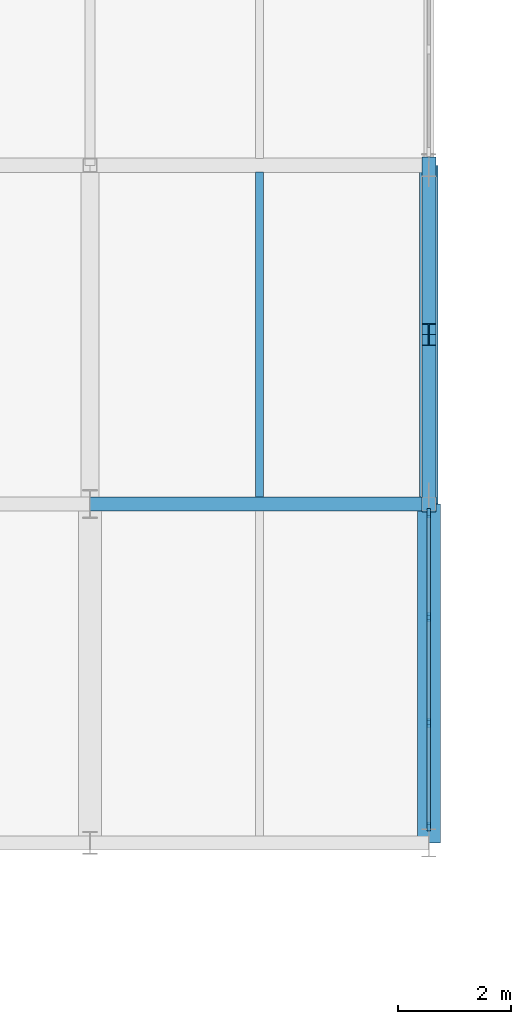
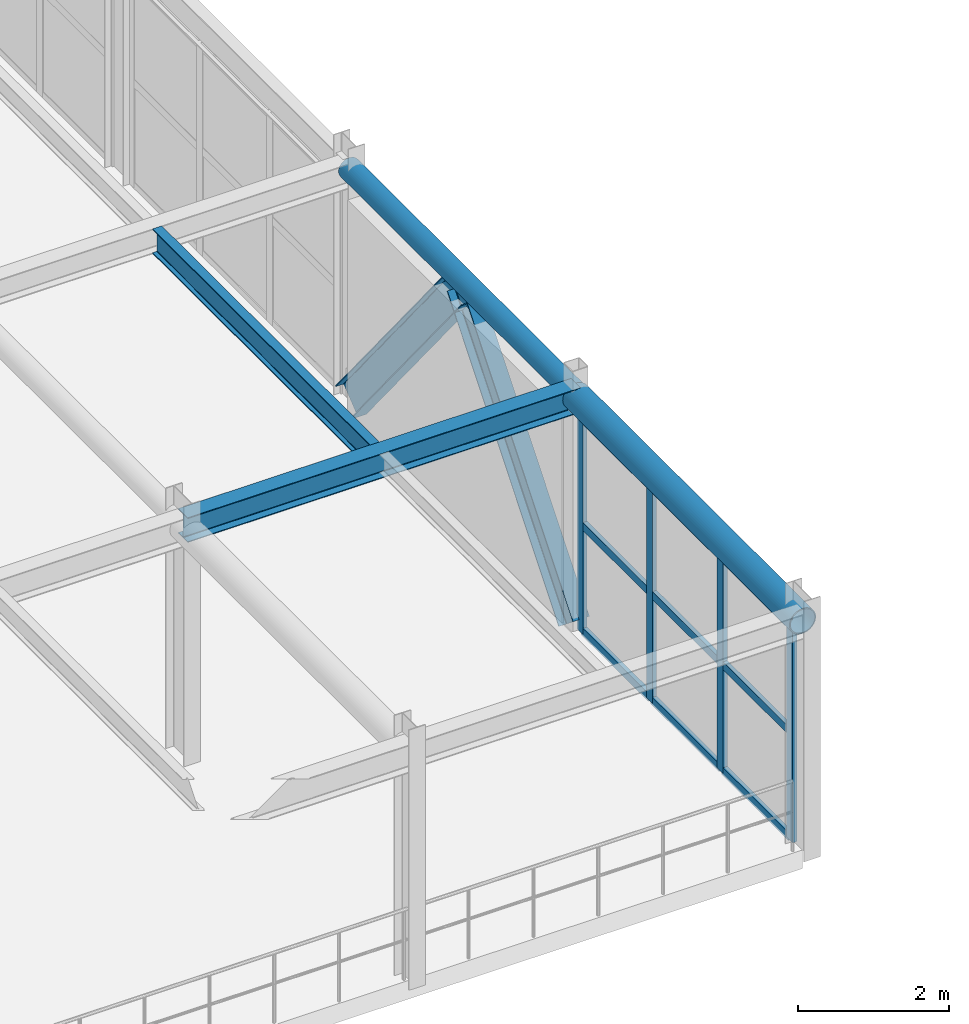
# One storey, part 12 of 83: 15 members, 4 beams, 1 element without a shape of its own.
"""IFC4 building model written with IfcOpenShell, lengths in metres."""

from ifc_helpers import new_model, si_unit, direction, frame, origin, origin_2d, place, context, subcontext, project, spatial, rectangle, hollow_circle, i_section, extrude, material, material_profile, profile_set, type_object, element, aggregate, save


model = new_model("IFC4")

# Units and contexts
model_context = context("Model", 3, precision=1e-05, world=origin(), true_north=direction((0.0, 1.0)))
body_context = subcontext(model_context, "Body", "Model", "MODEL_VIEW")
ifc_project = project(units=[si_unit("LENGTHUNIT", "METRE"), si_unit("AREAUNIT", "SQUARE_METRE"), si_unit("VOLUMEUNIT", "CUBIC_METRE"), si_unit("PLANEANGLEUNIT", "RADIAN"), si_unit("MASSUNIT", "GRAM", prefix="KILO")], contexts=[model_context])

# Site, building, storey
site_placement = place(None, origin())
site = spatial("IfcSite", under=ifc_project, at=site_placement, CompositionType="ELEMENT")
building_placement = place(site_placement, origin())
building = spatial("IfcBuilding", under=site, at=building_placement, Name="Varnakota Square Police Headquarters", CompositionType="ELEMENT")
storey_placement = place(building_placement, frame((0.0, 0.0, 18.0)))
storey = spatial("IfcBuildingStorey", under=building, at=storey_placement, Name="L04", CompositionType="ELEMENT", Elevation=18.0)

# Beams
ifc_material_1 = material(Name="Steel IS 2062 Grade 350", Category="steel")
ifc_material_profile_1 = material_profile(ifc_material_1, hollow_circle(Radius=0.161865234375, WallThickness=0.0126953125, at=origin_2d()), Name="CHS 323.9x12.7")
ifc_profile_set_1 = profile_set([ifc_material_profile_1], Name="Steel IS 2062 Grade 350")
beam_type_1 = type_object("IfcBeamType", Name="BM-ARC-CHS324", PredefinedType="BEAM", material=ifc_profile_set_1)
beam_1_placement = place(storey_placement, frame((42.0, 27.0, 3.738037109375), z_axis=(0.0, 1.0, 0.0), x_axis=(-1.0, 0.0, 0.0)))
element("IfcBeam", 1, at=beam_1_placement, inside=storey, type_object=beam_type_1, Name="BMG-L04-2970", PredefinedType="BEAM", context=body_context, shape_type="SweptSolid", body=[
    extrude(hollow_circle(Radius=0.161865234375, WallThickness=0.0126953125, at=origin_2d()), origin(), (0.0, 0.0, 1.0), 6.0),
])
ifc_material_profile_2 = material_profile(ifc_material_1, hollow_circle(Radius=0.203125, WallThickness=0.01611328125, at=origin_2d()), Name="CHS 406.4x16.0")
ifc_profile_set_2 = profile_set([ifc_material_profile_2], Name="Steel IS 2062 Grade 350")
beam_type_2 = type_object("IfcBeamType", Name="BM-ARC-CHS406", PredefinedType="BEAM", material=ifc_profile_set_2)
beam_2_placement = place(storey_placement, frame((42.0, 21.0, 3.69677734375), z_axis=(0.0, 1.0, 0.0), x_axis=(-1.0, 0.0, 0.0)))
element("IfcBeam", 2, at=beam_2_placement, inside=storey, type_object=beam_type_2, Name="BMG-L04-2969", PredefinedType="BEAM", context=body_context, shape_type="SweptSolid", body=[
    extrude(hollow_circle(Radius=0.203125, WallThickness=0.01611328125, at=origin_2d()), origin(), (0.0, 0.0, 1.0), 6.0),
])
ifc_material_profile_3 = material_profile(ifc_material_1, i_section(OverallWidth=0.25, OverallDepth=0.39990234375, WebThickness=0.010498046875, FlangeThickness=0.0126953125, FilletRadius=0.013916015625, at=origin_2d()), Name="ISHB 400")
ifc_profile_set_3 = profile_set([ifc_material_profile_3], Name="Steel IS 2062 Grade 350")
beam_type_3 = type_object("IfcBeamType", Name="BM-ISHB400", PredefinedType="BEAM", material=ifc_profile_set_3)
beam_3_placement = place(storey_placement, frame((36.0, 27.0, 3.699951171875), z_axis=(1.0, 0.0, 0.0), x_axis=(0.0, 1.0, 0.0)))
element("IfcBeam", 3, at=beam_3_placement, inside=storey, type_object=beam_type_3, Name="BMG-L04-2882", PredefinedType="BEAM", context=body_context, shape_type="SweptSolid", body=[
    extrude(i_section(OverallWidth=0.25, OverallDepth=0.39990234375, WebThickness=0.010498046875, FlangeThickness=0.0126953125, FilletRadius=0.013916015625, at=origin_2d()), origin(), (0.0, 0.0, 1.0), 6.0),
])
ifc_material_profile_4 = material_profile(ifc_material_1, i_section(OverallWidth=0.139892578125, OverallDepth=0.39990234375, WebThickness=0.0087890625, FlangeThickness=0.01611328125, FilletRadius=0.013916015625, at=origin_2d()), Name="ISMB 400")
ifc_profile_set_4 = profile_set([ifc_material_profile_4], Name="Steel IS 2062 Grade 350")
beam_type_4 = type_object("IfcBeamType", Name="BM-ISMB400", PredefinedType="JOIST", material=ifc_profile_set_4)
beam_4_placement = place(storey_placement, frame((39.0, 27.123046875, 3.699951171875), z_axis=(0.0, 1.0, 0.0), x_axis=(-1.0, 0.0, 0.0)))
element("IfcBeam", 4, at=beam_4_placement, inside=storey, type_object=beam_type_4, Name="BMG-L04-3049", PredefinedType="JOIST", context=body_context, shape_type="SweptSolid", body=[
    extrude(i_section(OverallWidth=0.139892578125, OverallDepth=0.39990234375, WebThickness=0.0087890625, FlangeThickness=0.01611328125, FilletRadius=0.013916015625, at=origin_2d()), origin(), (0.0, 0.0, 1.0), 5.75390625),
])

# Curtain wall, members
ifc_material_2 = material(Name="Anodised Aluminium Framing", Category="aluminium")
curtain_wall_type = type_object("IfcCurtainWallType", Name="CW-SYS-D", PredefinedType="NOTDEFINED", material=ifc_material_2)
curtain_wall_placement = place(storey_placement, origin())
curtain_wall = element("IfcCurtainWall", 5, at=curtain_wall_placement, inside=storey, type_object=curtain_wall_type, Name="Unitised curtain wall CWG-L04-180", PredefinedType="NOTDEFINED")
ifc_material_3 = material(Name="Anodised Aluminium 6063-T6", Category="aluminium")
ifc_material_profile_5 = material_profile(ifc_material_3, rectangle(XDim=0.06494140625, YDim=0.159912109375, at=origin_2d()), Name="ALU MULLION 65x160")
ifc_profile_set_5 = profile_set([ifc_material_profile_5], Name="Anodised Aluminium 6063-T6")
member_type_1 = type_object("IfcMemberType", Name="CWM-150", PredefinedType="MULLION", material=ifc_profile_set_5)
member_1_placement = place(storey_placement, frame((42.0, 21.28759765625, 0.0), z_axis=(0.0, 0.0, 1.0), x_axis=(-1.0, 0.0, 0.0)))
member_1 = element("IfcMember", 6, at=member_1_placement, type_object=member_type_1, Name="CWG-L04-180 mullion 1", PredefinedType="MULLION", context=body_context, shape_type="SweptSolid", body=[
    extrude(rectangle(XDim=0.06494140625, YDim=0.159912109375, at=origin_2d()), origin(), (0.0, 0.0, 1.0), 3.483642578125),
])
member_2_placement = place(storey_placement, frame((42.0, 23.126708984375, 0.0), z_axis=(0.0, 0.0, 1.0), x_axis=(-1.0, 0.0, 0.0)))
member_2 = element("IfcMember", 7, at=member_2_placement, type_object=member_type_1, Name="CWG-L04-180 mullion 2", PredefinedType="MULLION", context=body_context, shape_type="SweptSolid", body=[
    extrude(rectangle(XDim=0.06494140625, YDim=0.159912109375, at=origin_2d()), origin(), (0.0, 0.0, 1.0), 3.483642578125),
])
member_3_placement = place(storey_placement, frame((42.0, 24.998291015625, 0.0), z_axis=(0.0, 0.0, 1.0), x_axis=(-1.0, 0.0, 0.0)))
member_3 = element("IfcMember", 8, at=member_3_placement, type_object=member_type_1, Name="CWG-L04-180 mullion 3", PredefinedType="MULLION", context=body_context, shape_type="SweptSolid", body=[
    extrude(rectangle(XDim=0.06494140625, YDim=0.159912109375, at=origin_2d()), origin(), (0.0, 0.0, 1.0), 3.483642578125),
])
member_4_placement = place(storey_placement, frame((42.0, 26.83740234375, 0.0), z_axis=(0.0, 0.0, 1.0), x_axis=(-1.0, 0.0, 0.0)))
member_4 = element("IfcMember", 9, at=member_4_placement, type_object=member_type_1, Name="CWG-L04-180 mullion 4", PredefinedType="MULLION", context=body_context, shape_type="SweptSolid", body=[
    extrude(rectangle(XDim=0.06494140625, YDim=0.159912109375, at=origin_2d()), origin(), (0.0, 0.0, 1.0), 3.483642578125),
])
ifc_material_profile_6 = material_profile(ifc_material_3, rectangle(XDim=0.06494140625, YDim=0.1298828125, at=origin_2d()), Name="ALU TRANSOM 65x130")
ifc_profile_set_6 = profile_set([ifc_material_profile_6], Name="Anodised Aluminium 6063-T6")
member_type_2 = type_object("IfcMemberType", Name="CWT-120", PredefinedType="USERDEFINED", material=ifc_profile_set_6)
member_5_placement = place(storey_placement, frame((42.0, 21.320068359375, 0.032470703125), z_axis=(0.0, 1.0, 0.0), x_axis=(-1.0, 0.0, 0.0)))
member_5 = element("IfcMember", 10, at=member_5_placement, type_object=member_type_2, Name="CWG-L04-180 transom 1.1", ObjectType="TRANSOM", PredefinedType="USERDEFINED", context=body_context, shape_type="SweptSolid", body=[
    extrude(rectangle(XDim=0.06494140625, YDim=0.1298828125, at=origin_2d()), origin(), (0.0, 0.0, 1.0), 1.774169921875),
])
member_6_placement = place(storey_placement, frame((42.0, 21.320068359375, 1.74169921875), z_axis=(0.0, 1.0, 0.0), x_axis=(-1.0, 0.0, 0.0)))
member_6 = element("IfcMember", 11, at=member_6_placement, type_object=member_type_2, Name="CWG-L04-180 transom 1.2", ObjectType="TRANSOM", PredefinedType="USERDEFINED", context=body_context, shape_type="SweptSolid", body=[
    extrude(rectangle(XDim=0.06494140625, YDim=0.1298828125, at=origin_2d()), origin(), (0.0, 0.0, 1.0), 1.774169921875),
])
member_7_placement = place(storey_placement, frame((42.0, 21.320068359375, 3.451171875), z_axis=(0.0, 1.0, 0.0), x_axis=(-1.0, 0.0, 0.0)))
member_7 = element("IfcMember", 12, at=member_7_placement, type_object=member_type_2, Name="CWG-L04-180 transom 1.3", ObjectType="TRANSOM", PredefinedType="USERDEFINED", context=body_context, shape_type="SweptSolid", body=[
    extrude(rectangle(XDim=0.06494140625, YDim=0.1298828125, at=origin_2d()), origin(), (0.0, 0.0, 1.0), 1.774169921875),
])
member_8_placement = place(storey_placement, frame((42.0, 23.1591796875, 0.032470703125), z_axis=(0.0, 1.0, 0.0), x_axis=(-1.0, 0.0, 0.0)))
member_8 = element("IfcMember", 13, at=member_8_placement, type_object=member_type_2, Name="CWG-L04-180 transom 2.1", ObjectType="TRANSOM", PredefinedType="USERDEFINED", context=body_context, shape_type="SweptSolid", body=[
    extrude(rectangle(XDim=0.06494140625, YDim=0.1298828125, at=origin_2d()), origin(), (0.0, 0.0, 1.0), 1.806640625),
])
member_9_placement = place(storey_placement, frame((42.0, 23.1591796875, 1.74169921875), z_axis=(0.0, 1.0, 0.0), x_axis=(-1.0, 0.0, 0.0)))
member_9 = element("IfcMember", 14, at=member_9_placement, type_object=member_type_2, Name="CWG-L04-180 transom 2.2", ObjectType="TRANSOM", PredefinedType="USERDEFINED", context=body_context, shape_type="SweptSolid", body=[
    extrude(rectangle(XDim=0.06494140625, YDim=0.1298828125, at=origin_2d()), origin(), (0.0, 0.0, 1.0), 1.806640625),
])
member_10_placement = place(storey_placement, frame((42.0, 23.1591796875, 3.451171875), z_axis=(0.0, 1.0, 0.0), x_axis=(-1.0, 0.0, 0.0)))
member_10 = element("IfcMember", 15, at=member_10_placement, type_object=member_type_2, Name="CWG-L04-180 transom 2.3", ObjectType="TRANSOM", PredefinedType="USERDEFINED", context=body_context, shape_type="SweptSolid", body=[
    extrude(rectangle(XDim=0.06494140625, YDim=0.1298828125, at=origin_2d()), origin(), (0.0, 0.0, 1.0), 1.806640625),
])
member_11_placement = place(storey_placement, frame((42.0, 25.03076171875, 0.032470703125), z_axis=(0.0, 1.0, 0.0), x_axis=(-1.0, 0.0, 0.0)))
member_11 = element("IfcMember", 16, at=member_11_placement, type_object=member_type_2, Name="CWG-L04-180 transom 3.1", ObjectType="TRANSOM", PredefinedType="USERDEFINED", context=body_context, shape_type="SweptSolid", body=[
    extrude(rectangle(XDim=0.06494140625, YDim=0.1298828125, at=origin_2d()), origin(), (0.0, 0.0, 1.0), 1.774169921875),
])
member_12_placement = place(storey_placement, frame((42.0, 25.03076171875, 1.74169921875), z_axis=(0.0, 1.0, 0.0), x_axis=(-1.0, 0.0, 0.0)))
member_12 = element("IfcMember", 17, at=member_12_placement, type_object=member_type_2, Name="CWG-L04-180 transom 3.2", ObjectType="TRANSOM", PredefinedType="USERDEFINED", context=body_context, shape_type="SweptSolid", body=[
    extrude(rectangle(XDim=0.06494140625, YDim=0.1298828125, at=origin_2d()), origin(), (0.0, 0.0, 1.0), 1.774169921875),
])
member_13_placement = place(storey_placement, frame((42.0, 25.03076171875, 3.451171875), z_axis=(0.0, 1.0, 0.0), x_axis=(-1.0, 0.0, 0.0)))
member_13 = element("IfcMember", 18, at=member_13_placement, type_object=member_type_2, Name="CWG-L04-180 transom 3.3", ObjectType="TRANSOM", PredefinedType="USERDEFINED", context=body_context, shape_type="SweptSolid", body=[
    extrude(rectangle(XDim=0.06494140625, YDim=0.1298828125, at=origin_2d()), origin(), (0.0, 0.0, 1.0), 1.774169921875),
])
aggregate(curtain_wall, [member_1, member_2, member_3, member_4, member_5, member_6, member_7, member_8, member_9, member_10, member_11, member_12, member_13])

# Members
ifc_material_profile_7 = material_profile(ifc_material_1, i_section(OverallWidth=0.25, OverallDepth=0.5, WebThickness=0.010009765625, FlangeThickness=0.0146484375, FilletRadius=0.014892578125, at=origin_2d()), Name="ISWB 500")
ifc_profile_set_7 = profile_set([ifc_material_profile_7], Name="Steel IS 2062 Grade 350")
member_type_3 = type_object("IfcMemberType", Name="MEM-BR-ISWB500", PredefinedType="BRACE", material=ifc_profile_set_7)
for number, where, z_axis, x_axis, name in (
    (19, (42.0, 27.050048828125, 0.02001953125), (0.0, 0.630679081609, 0.776043746203), (-1.0, 0.0, 0.0), "Lateral brace BF3 L04 left"),
    (20, (42.0, 32.949951171875, 0.02001953125), (0.0, -0.630679081609, 0.776043746203), (1.0, 0.0, 0.0), "Lateral brace BF3 L04 right"),
):
    element("IfcMember", number, at=place(storey_placement, frame(where, z_axis=z_axis, x_axis=x_axis)), inside=storey, type_object=member_type_3, Name=name, PredefinedType="BRACE", context=body_context, shape_type="SweptSolid", body=[
        extrude(i_section(OverallWidth=0.25, OverallDepth=0.5, WebThickness=0.010009765625, FlangeThickness=0.0146484375, FilletRadius=0.014892578125, at=origin_2d()), origin(), (0.0, 0.0, 1.0), 4.677490234375),
    ])

save(model, "model.ifc")
